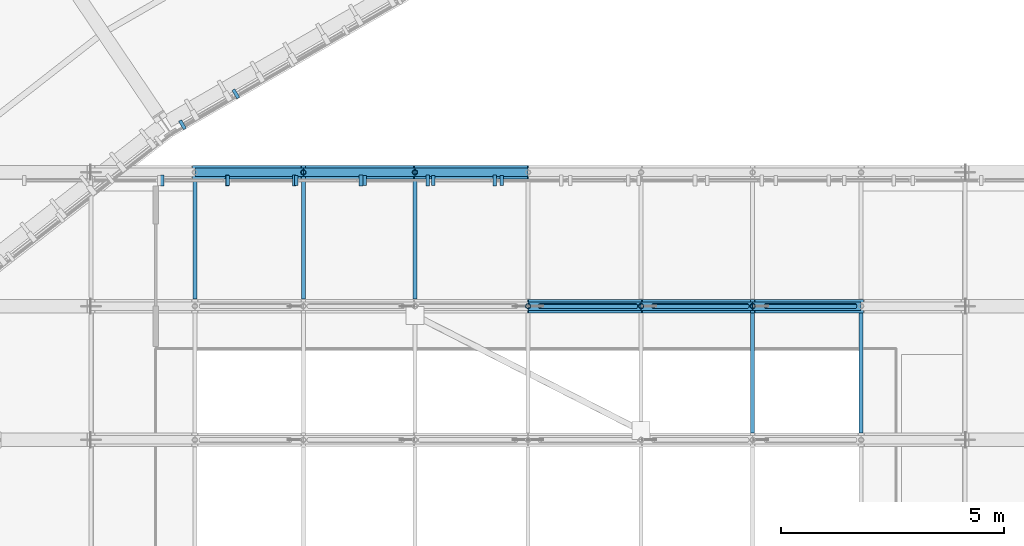
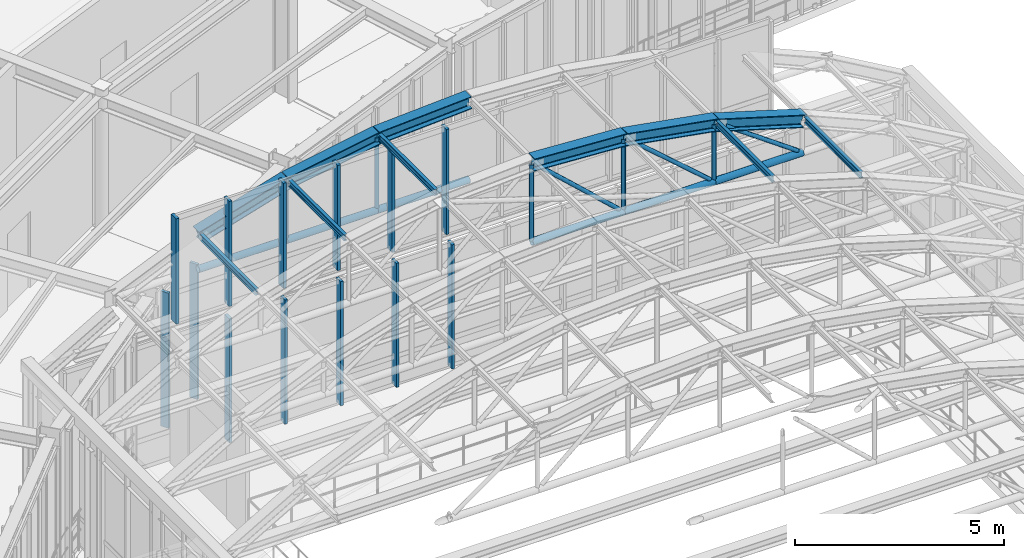
# One storey, part 70 of 148: 27 members, 11 beams, 3 elements without a shape of their own.
"""IFC4 building model written with IfcOpenShell, lengths in metres."""

from ifc_helpers import new_model, si_unit, direction, frame, origin, origin_2d, place, context, subcontext, project, spatial, rectangle, hollow_circle, i_section, extrude, material, layer, layer_set, material_profile, profile_set, type_object, element, aggregate, save


model = new_model("IFC4")

# Units and contexts
model_context = context("Model", 3, precision=1e-05, world=origin(), true_north=direction((0.0, 1.0)))
body_context = subcontext(model_context, "Body", "Model", "MODEL_VIEW")
ifc_project = project(units=[si_unit("LENGTHUNIT", "METRE"), si_unit("AREAUNIT", "SQUARE_METRE"), si_unit("VOLUMEUNIT", "CUBIC_METRE"), si_unit("PLANEANGLEUNIT", "RADIAN"), si_unit("MASSUNIT", "GRAM", prefix="KILO"), si_unit("THERMODYNAMICTEMPERATUREUNIT", "KELVIN"), si_unit("POWERUNIT", "WATT")], contexts=[model_context])

# Site, building, storey
site_placement = place(None, origin())
site = spatial("IfcSite", under=ifc_project, at=site_placement, CompositionType="ELEMENT")
building_placement = place(site_placement, origin())
building = spatial("IfcBuilding", under=site, at=building_placement, Name="Solvatero Civic Police Headquarters", CompositionType="ELEMENT")
storey_placement = place(building_placement, frame((0.0, 0.0, 5.10009765625)))
storey = spatial("IfcBuildingStorey", under=building, at=storey_placement, Name="L01", CompositionType="ELEMENT", Elevation=5.10009765625)

# Beams
ifc_material_1 = material(Name="Steel S355", Category="steel")
ifc_material_profile_1 = material_profile(ifc_material_1, i_section(OverallWidth=0.300048828125, OverallDepth=0.360107421875, WebThickness=0.012451171875, FlangeThickness=0.0224609375, FilletRadius=0.027099609375, at=origin_2d()), Name="HEB 360")
ifc_profile_set_1 = profile_set([ifc_material_profile_1], Name="Steel S355")
beam_type_1 = type_object("IfcBeamType", Name="BM-ST-HEB360", PredefinedType="BEAM", material=ifc_profile_set_1)
beam_1_placement = place(storey_placement, frame((76.800048828125, 59.5, 7.459228515625), z_axis=(0.99830210262, 0.0, -0.058248707316), x_axis=(0.0, 1.0, 0.0)))
element("IfcBeam", 1, at=beam_1_placement, inside=storey, type_object=beam_type_1, Name="VLT2 Tied-Arch Vault Top Chord F7.6", PredefinedType="BEAM", context=body_context, shape_type="SweptSolid", body=[
    extrude(i_section(OverallWidth=0.300048828125, OverallDepth=0.360107421875, WebThickness=0.012451171875, FlangeThickness=0.0224609375, FilletRadius=0.027099609375, at=origin_2d()), origin(), (0.0, 0.0, 1.0), 2.5400390625),
])
beam_2_placement = place(storey_placement, frame((79.335693359375, 59.5, 7.306640625), z_axis=(0.984752581279, 0.0, -0.173960781975), x_axis=(0.0, 1.0, 0.0)))
element("IfcBeam", 2, at=beam_2_placement, inside=storey, type_object=beam_type_1, Name="VLT2 Tied-Arch Vault Top Chord F7.7", PredefinedType="BEAM", context=body_context, shape_type="SweptSolid", body=[
    extrude(i_section(OverallWidth=0.300048828125, OverallDepth=0.360107421875, WebThickness=0.012451171875, FlangeThickness=0.0224609375, FilletRadius=0.027099609375, at=origin_2d()), origin(), (0.0, 0.0, 1.0), 2.540283203125),
])
for number, where, z_axis, x_axis, name in (
    (3, (81.837158203125, 59.5, 6.85498046875), (0.957813056997, 0.0, -0.287391975958), (0.0, 1.0, 0.0), "VLT2 Tied-Arch Vault Top Chord F7.8"),
    (4, (69.330078125, 62.5, 6.14404296875), (0.957813056997, 0.0, 0.287391975958), (0.0, 1.0, 0.0), "VLT2 Tied-Arch Vault Top Chord F8.3"),
    (5, (71.762939453125, 62.5, 6.8740234375), (0.984749672323, 0.0, 0.173977248112), (0.0, 1.0, 0.0), "VLT2 Tied-Arch Vault Top Chord F8.4"),
):
    element("IfcBeam", number, at=place(storey_placement, frame(where, z_axis=z_axis, x_axis=x_axis)), inside=storey, type_object=beam_type_1, Name=name, PredefinedType="BEAM", context=body_context, shape_type="SweptSolid", body=[
        extrude(i_section(OverallWidth=0.300048828125, OverallDepth=0.360107421875, WebThickness=0.012451171875, FlangeThickness=0.0224609375, FilletRadius=0.027099609375, at=origin_2d()), origin(), (0.0, 0.0, 1.0), 2.5400390625),
    ])
beam_3_placement = place(storey_placement, frame((74.26416015625, 62.5, 7.31591796875), z_axis=(0.9983024287, 0.0, 0.058243118494), x_axis=(0.0, 1.0, 0.0)))
element("IfcBeam", 6, at=beam_3_placement, inside=storey, type_object=beam_type_1, Name="VLT2 Tied-Arch Vault Top Chord F8.5", PredefinedType="BEAM", context=body_context, shape_type="SweptSolid", body=[
    extrude(i_section(OverallWidth=0.300048828125, OverallDepth=0.360107421875, WebThickness=0.012451171875, FlangeThickness=0.0224609375, FilletRadius=0.027099609375, at=origin_2d()), origin(), (0.0, 0.0, 1.0), 2.540283203125),
])
ifc_material_profile_2 = material_profile(ifc_material_1, i_section(OverallWidth=0.091064453125, OverallDepth=0.179931640625, WebThickness=0.00537109375, FlangeThickness=0.008056640625, FilletRadius=0.009033203125, at=origin_2d()), Name="IPE 180")
ifc_profile_set_2 = profile_set([ifc_material_profile_2], Name="Steel S355")
beam_type_2 = type_object("IfcBeamType", Name="BM-ST-IPE180", PredefinedType="JOIST", material=ifc_profile_set_2)
for number, where, z_axis, x_axis, name in (
    (7, (81.837158203125, 56.657958984375, 6.927978515625), (0.0, 1.0, 0.0), (-1.0, 0.0, 0.0), "VLT2 Vault Roof Purlin B6.7"),
    (8, (84.27001953125, 56.657958984375, 6.19091796875), (0.0, 1.0, 0.0), (-1.0, 0.0, 0.0), "VLT2 Vault Roof Purlin B6.8"),
    (9, (69.330078125, 59.657958984375, 6.19091796875), (0.0, 1.0, 0.0), (-1.0, 0.0, 0.0), "VLT2 Vault Roof Purlin B7.2"),
    (10, (71.762939453125, 59.657958984375, 6.927978515625), (0.0, 1.0, 0.0), (-1.0, 0.0, 0.0), "VLT2 Vault Roof Purlin B7.3"),
    (11, (74.26416015625, 59.657958984375, 7.37451171875), (0.0, 1.0, 0.0), (-1.0, 0.0, 0.0), "VLT2 Vault Roof Purlin B7.4"),
):
    element("IfcBeam", number, at=place(storey_placement, frame(where, z_axis=z_axis, x_axis=x_axis)), inside=storey, type_object=beam_type_2, Name=name, PredefinedType="JOIST", context=body_context, shape_type="SweptSolid", body=[
        extrude(i_section(OverallWidth=0.091064453125, OverallDepth=0.179931640625, WebThickness=0.00537109375, FlangeThickness=0.008056640625, FilletRadius=0.009033203125, at=origin_2d()), origin(), (0.0, 0.0, 1.0), 2.68408203125),
    ])

# Curtain wall, members
ifc_material_2 = material(Name="Anodized Bronze Aluminium", Category="aluminium")
ifc_layer_1 = layer(ifc_material_2, 0.179931640625)
ifc_layer_set_1 = layer_set([ifc_layer_1], Name="Anodized Bronze Aluminium")
curtain_wall_type_1 = type_object("IfcCurtainWallType", Name="CW-VLT-TYMP", PredefinedType="USERDEFINED", material=ifc_layer_set_1)
curtain_wall_1_placement = place(storey_placement, origin())
curtain_wall_1 = element("IfcCurtainWall", 12, at=curtain_wall_1_placement, inside=storey, type_object=curtain_wall_type_1, Name="Curtain Wall CW-R2-L01-VLT2-N", ObjectType="UNITISED", PredefinedType="USERDEFINED")
ifc_material_profile_3 = material_profile(ifc_material_2, rectangle(XDim=0.080078125, YDim=0.239990234375, at=origin_2d()), Name="ALU MULLION 80x240")
ifc_profile_set_3 = profile_set([ifc_material_profile_3], Name="Anodized Bronze Aluminium")
member_type_1 = type_object("IfcMemberType", Name="CWM-140x60", PredefinedType="MULLION", material=ifc_profile_set_3)
member_1_placement = place(storey_placement, frame((68.60009765625, 62.320068359375, 3.97998046875), z_axis=(0.0, 0.0, 1.0), x_axis=(1.0, 0.0, 0.0)))
member_1 = element("IfcMember", 13, at=member_1_placement, type_object=member_type_1, Name="CW-R2-L01-VLT2-N Mullion 1", PredefinedType="MULLION", context=body_context, shape_type="SweptSolid", body=[
    extrude(rectangle(XDim=0.080078125, YDim=0.239990234375, at=origin_2d()), origin(), (0.0, 0.0, 1.0), 3.06982421875),
])
member_2_placement = place(storey_placement, frame((70.05810546875, 62.320068359375, 3.97998046875), z_axis=(0.0, 0.0, 1.0), x_axis=(1.0, 0.0, 0.0)))
member_2 = element("IfcMember", 14, at=member_2_placement, type_object=member_type_1, Name="CW-R2-L01-VLT2-N Mullion 2", PredefinedType="MULLION", context=body_context, shape_type="SweptSolid", body=[
    extrude(rectangle(XDim=0.080078125, YDim=0.239990234375, at=origin_2d()), origin(), (0.0, 0.0, 1.0), 3.06982421875),
])
member_3_placement = place(storey_placement, frame((71.556396484375, 62.320068359375, 3.97998046875), z_axis=(0.0, 0.0, 1.0), x_axis=(1.0, 0.0, 0.0)))
member_3 = element("IfcMember", 15, at=member_3_placement, type_object=member_type_1, Name="CW-R2-L01-VLT2-N Mullion 3", PredefinedType="MULLION", context=body_context, shape_type="SweptSolid", body=[
    extrude(rectangle(XDim=0.080078125, YDim=0.239990234375, at=origin_2d()), origin(), (0.0, 0.0, 1.0), 3.06982421875),
])
member_4_placement = place(storey_placement, frame((73.054443359375, 62.320068359375, 3.97998046875), z_axis=(0.0, 0.0, 1.0), x_axis=(1.0, 0.0, 0.0)))
member_4 = element("IfcMember", 16, at=member_4_placement, type_object=member_type_1, Name="CW-R2-L01-VLT2-N Mullion 4", PredefinedType="MULLION", context=body_context, shape_type="SweptSolid", body=[
    extrude(rectangle(XDim=0.080078125, YDim=0.239990234375, at=origin_2d()), origin(), (0.0, 0.0, 1.0), 3.06982421875),
])
member_5_placement = place(storey_placement, frame((74.552734375, 62.320068359375, 3.97998046875), z_axis=(0.0, 0.0, 1.0), x_axis=(1.0, 0.0, 0.0)))
member_5 = element("IfcMember", 17, at=member_5_placement, type_object=member_type_1, Name="CW-R2-L01-VLT2-N Mullion 5", PredefinedType="MULLION", context=body_context, shape_type="SweptSolid", body=[
    extrude(rectangle(XDim=0.080078125, YDim=0.239990234375, at=origin_2d()), origin(), (0.0, 0.0, 1.0), 3.06982421875),
])
member_6_placement = place(storey_placement, frame((76.05078125, 62.320068359375, 3.97998046875), z_axis=(0.0, 0.0, 1.0), x_axis=(1.0, 0.0, 0.0)))
member_6 = element("IfcMember", 18, at=member_6_placement, type_object=member_type_1, Name="CW-R2-L01-VLT2-N Mullion 6", PredefinedType="MULLION", context=body_context, shape_type="SweptSolid", body=[
    extrude(rectangle(XDim=0.080078125, YDim=0.239990234375, at=origin_2d()), origin(), (0.0, 0.0, 1.0), 3.06982421875),
])
aggregate(curtain_wall_1, [member_1, member_2, member_3, member_4, member_5, member_6])

ifc_layer_2 = layer(ifc_material_2, 0.179931640625)
ifc_layer_set_2 = layer_set([ifc_layer_2], Name="Anodized Bronze Aluminium")
curtain_wall_type_2 = type_object("IfcCurtainWallType", Name="CW-ARC-IN", PredefinedType="USERDEFINED", material=ifc_layer_set_2)
curtain_wall_2_placement = place(storey_placement, origin())
curtain_wall_2 = element("IfcCurtainWall", 19, at=curtain_wall_2_placement, inside=storey, type_object=curtain_wall_type_2, Name="Curtain Wall CW-R2-L01-ARC-IN-B05", ObjectType="UNITISED", PredefinedType="USERDEFINED")
ifc_material_profile_4 = material_profile(ifc_material_2, rectangle(XDim=0.074951171875, YDim=0.219970703125, at=origin_2d()), Name="ALU MULLION 75x220")
ifc_profile_set_4 = profile_set([ifc_material_profile_4], Name="Anodized Bronze Aluminium")
member_type_2 = type_object("IfcMemberType", Name="CWM-250x85", PredefinedType="MULLION", material=ifc_profile_set_4)
member_7_placement = place(storey_placement, frame((70.247802734375, 64.260009765625, 0.0), z_axis=(0.0, 0.0, 1.0), x_axis=(-0.866025403784, -0.5, 0.0)))
member_7 = element("IfcMember", 20, at=member_7_placement, type_object=member_type_2, Name="CW-R2-L01-ARC-IN-B05 Mullion 4", PredefinedType="MULLION", context=body_context, shape_type="SweptSolid", body=[
    extrude(rectangle(XDim=0.074951171875, YDim=0.219970703125, at=origin_2d()), origin(), (0.0, 0.0, 1.0), 3.93994140625),
])
member_8_placement = place(storey_placement, frame((69.051513671875, 63.569091796875, 0.0), z_axis=(0.0, 0.0, 1.0), x_axis=(-0.866025403784, -0.5, 0.0)))
member_8 = element("IfcMember", 21, at=member_8_placement, type_object=member_type_2, Name="CW-R2-L01-ARC-IN-B05 Mullion 5", PredefinedType="MULLION", context=body_context, shape_type="SweptSolid", body=[
    extrude(rectangle(XDim=0.074951171875, YDim=0.219970703125, at=origin_2d()), origin(), (0.0, 0.0, 1.0), 3.93994140625),
])
aggregate(curtain_wall_2, [member_7, member_8])

ifc_layer_3 = layer(ifc_material_2, 0.179931640625)
ifc_layer_set_3 = layer_set([ifc_layer_3], Name="Anodized Bronze Aluminium")
curtain_wall_type_3 = type_object("IfcCurtainWallType", Name="CW-HAL-GLZ", PredefinedType="USERDEFINED", material=ifc_layer_set_3)
curtain_wall_3_placement = place(storey_placement, origin())
curtain_wall_3 = element("IfcCurtainWall", 22, at=curtain_wall_3_placement, inside=storey, type_object=curtain_wall_type_3, Name="Curtain Wall CW-R2-L01-V2-N", ObjectType="UNITISED", PredefinedType="USERDEFINED")
member_9_placement = place(storey_placement, frame((70.067626953125, 62.320068359375, 0.0), z_axis=(0.0, 0.0, 1.0), x_axis=(1.0, 0.0, 0.0)))
member_9 = element("IfcMember", 23, at=member_9_placement, type_object=member_type_2, Name="CW-R2-L01-V2-N Mullion 4", PredefinedType="MULLION", context=body_context, shape_type="SweptSolid", body=[
    extrude(rectangle(XDim=0.074951171875, YDim=0.219970703125, at=origin_2d()), origin(), (0.0, 0.0, 1.0), 3.619873046875),
])
member_10_placement = place(storey_placement, frame((71.603515625, 62.320068359375, 0.0), z_axis=(0.0, 0.0, 1.0), x_axis=(1.0, 0.0, 0.0)))
member_10 = element("IfcMember", 24, at=member_10_placement, type_object=member_type_2, Name="CW-R2-L01-V2-N Mullion 5", PredefinedType="MULLION", context=body_context, shape_type="SweptSolid", body=[
    extrude(rectangle(XDim=0.074951171875, YDim=0.219970703125, at=origin_2d()), origin(), (0.0, 0.0, 1.0), 3.619873046875),
])
member_11_placement = place(storey_placement, frame((73.139404296875, 62.320068359375, 0.0), z_axis=(0.0, 0.0, 1.0), x_axis=(1.0, 0.0, 0.0)))
member_11 = element("IfcMember", 25, at=member_11_placement, type_object=member_type_2, Name="CW-R2-L01-V2-N Mullion 6", PredefinedType="MULLION", context=body_context, shape_type="SweptSolid", body=[
    extrude(rectangle(XDim=0.074951171875, YDim=0.219970703125, at=origin_2d()), origin(), (0.0, 0.0, 1.0), 3.619873046875),
])
member_12_placement = place(storey_placement, frame((74.67529296875, 62.320068359375, 0.0), z_axis=(0.0, 0.0, 1.0), x_axis=(1.0, 0.0, 0.0)))
member_12 = element("IfcMember", 26, at=member_12_placement, type_object=member_type_2, Name="CW-R2-L01-V2-N Mullion 7", PredefinedType="MULLION", context=body_context, shape_type="SweptSolid", body=[
    extrude(rectangle(XDim=0.074951171875, YDim=0.219970703125, at=origin_2d()), origin(), (0.0, 0.0, 1.0), 3.619873046875),
])
member_13_placement = place(storey_placement, frame((76.211181640625, 62.320068359375, 0.0), z_axis=(0.0, 0.0, 1.0), x_axis=(1.0, 0.0, 0.0)))
member_13 = element("IfcMember", 27, at=member_13_placement, type_object=member_type_2, Name="CW-R2-L01-V2-N Mullion 8", PredefinedType="MULLION", context=body_context, shape_type="SweptSolid", body=[
    extrude(rectangle(XDim=0.074951171875, YDim=0.219970703125, at=origin_2d()), origin(), (0.0, 0.0, 1.0), 3.619873046875),
])
aggregate(curtain_wall_3, [member_9, member_10, member_11, member_12, member_13])

# Members
ifc_material_profile_5 = material_profile(ifc_material_1, hollow_circle(Radius=0.05712890625, WallThickness=0.008056640625, at=origin_2d()), Name="CHS 114.3x8.0")
ifc_profile_set_5 = profile_set([ifc_material_profile_5], Name="Steel S355")
member_type_3 = type_object("IfcMemberType", Name="MB-HNG-CHS114", PredefinedType="STRUT", material=ifc_profile_set_5)
member_14_placement = place(storey_placement, frame((79.218017578125, 59.5, 5.244384765625), z_axis=(-0.736703146359, 0.0, 0.676216292428), x_axis=(0.0, -1.0, 0.0)))
element("IfcMember", 28, at=member_14_placement, inside=storey, type_object=member_type_3, Name="VLT2 Vault Truss Diagonal Web F7.5", PredefinedType="STRUT", context=body_context, shape_type="SweptSolid", body=[
    extrude(hollow_circle(Radius=0.05712890625, WallThickness=0.008056640625, at=origin_2d()), origin(), (0.0, 0.0, 1.0), 2.92236328125),
])
member_15_placement = place(storey_placement, frame((81.716552734375, 59.5, 5.2412109375), z_axis=(-0.753915676924, 0.0, 0.656971195783), x_axis=(0.0, -1.0, 0.0)))
element("IfcMember", 29, at=member_15_placement, inside=storey, type_object=member_type_3, Name="VLT2 Vault Truss Diagonal Web F7.6", PredefinedType="STRUT", context=body_context, shape_type="SweptSolid", body=[
    extrude(hollow_circle(Radius=0.05712890625, WallThickness=0.008056640625, at=origin_2d()), origin(), (0.0, 0.0, 1.0), 2.7978515625),
])
member_16_placement = place(storey_placement, frame((84.139892578125, 59.5, 5.229248046875), z_axis=(-0.813766862459, 0.0, 0.581191443126), x_axis=(0.0, -1.0, 0.0)))
element("IfcMember", 30, at=member_16_placement, inside=storey, type_object=member_type_3, Name="VLT2 Vault Truss Diagonal Web F7.7", PredefinedType="STRUT", context=body_context, shape_type="SweptSolid", body=[
    extrude(hollow_circle(Radius=0.05712890625, WallThickness=0.008056640625, at=origin_2d()), origin(), (0.0, 0.0, 1.0), 2.469970703125),
])
member_17_placement = place(storey_placement, frame((76.800048828125, 59.5, 5.17626953125), z_axis=(0.0, 0.0, 1.0), x_axis=(1.0, 0.0, 0.0)))
element("IfcMember", 31, at=member_17_placement, inside=storey, type_object=member_type_3, Name="VLT2 Vault Vertical Hanger F7.5", PredefinedType="STRUT", context=body_context, shape_type="SweptSolid", body=[
    extrude(hollow_circle(Radius=0.05712890625, WallThickness=0.008056640625, at=origin_2d()), origin(), (0.0, 0.0, 1.0), 2.237548828125),
])
member_18_placement = place(storey_placement, frame((79.335693359375, 59.5, 5.17626953125), z_axis=(0.0, 0.0, 1.0), x_axis=(1.0, 0.0, 0.0)))
element("IfcMember", 32, at=member_18_placement, inside=storey, type_object=member_type_3, Name="VLT2 Vault Vertical Hanger F7.6", PredefinedType="STRUT", context=body_context, shape_type="SweptSolid", body=[
    extrude(hollow_circle(Radius=0.05712890625, WallThickness=0.008056640625, at=origin_2d()), origin(), (0.0, 0.0, 1.0), 2.089599609375),
])
for number, where, z_axis, x_axis, name in (
    (33, (81.837158203125, 59.5, 5.17626953125), (0.0, 0.0, 1.0), (1.0, 0.0, 0.0), "VLT2 Vault Vertical Hanger F7.7"),
    (34, (71.762939453125, 62.5, 5.17626953125), (0.0, 0.0, 1.0), (1.0, 0.0, 0.0), "VLT2 Vault Vertical Hanger F8.3"),
):
    element("IfcMember", number, at=place(storey_placement, frame(where, z_axis=z_axis, x_axis=x_axis)), inside=storey, type_object=member_type_3, Name=name, PredefinedType="STRUT", context=body_context, shape_type="SweptSolid", body=[
        extrude(hollow_circle(Radius=0.05712890625, WallThickness=0.008056640625, at=origin_2d()), origin(), (0.0, 0.0, 1.0), 1.647705078125),
    ])
member_19_placement = place(storey_placement, frame((74.26416015625, 62.5, 5.17626953125), z_axis=(0.0, 0.0, 1.0), x_axis=(1.0, 0.0, 0.0)))
element("IfcMember", 35, at=member_19_placement, inside=storey, type_object=member_type_3, Name="VLT2 Vault Vertical Hanger F8.4", PredefinedType="STRUT", context=body_context, shape_type="SweptSolid", body=[
    extrude(hollow_circle(Radius=0.05712890625, WallThickness=0.008056640625, at=origin_2d()), origin(), (0.0, 0.0, 1.0), 2.089599609375),
])
ifc_material_profile_6 = material_profile(ifc_material_1, hollow_circle(Radius=0.096923828125, WallThickness=0.010009765625, at=origin_2d()), Name="CHS 193.7x10.0")
ifc_profile_set_6 = profile_set([ifc_material_profile_6], Name="Steel S355")
member_type_4 = type_object("IfcMemberType", Name="MB-TIE-CHS194", PredefinedType="CHORD", material=ifc_profile_set_6)
member_20_placement = place(storey_placement, frame((76.800048828125, 59.5, 5.13623046875), z_axis=(1.0, 0.0, 0.0), x_axis=(0.0, 1.0, 0.0)))
element("IfcMember", 36, at=member_20_placement, inside=storey, type_object=member_type_4, Name="VLT2 Vault Horizontal Tie Chord F7.5", PredefinedType="CHORD", context=body_context, shape_type="SweptSolid", body=[
    extrude(hollow_circle(Radius=0.096923828125, WallThickness=0.010009765625, at=origin_2d()), origin(), (0.0, 0.0, 1.0), 2.53564453125),
])
member_21_placement = place(storey_placement, frame((79.335693359375, 59.5, 5.13623046875), z_axis=(1.0, 0.0, 0.0), x_axis=(0.0, 1.0, 0.0)))
element("IfcMember", 37, at=member_21_placement, inside=storey, type_object=member_type_4, Name="VLT2 Vault Horizontal Tie Chord F7.6", PredefinedType="CHORD", context=body_context, shape_type="SweptSolid", body=[
    extrude(hollow_circle(Radius=0.096923828125, WallThickness=0.010009765625, at=origin_2d()), origin(), (0.0, 0.0, 1.0), 2.50146484375),
])
for number, where, z_axis, x_axis, name in (
    (38, (81.837158203125, 59.5, 5.13623046875), (1.0, 0.0, 0.0), (0.0, 1.0, 0.0), "VLT2 Vault Horizontal Tie Chord F7.7"),
    (39, (69.330078125, 62.5, 5.13623046875), (1.0, 0.0, 0.0), (0.0, 1.0, 0.0), "VLT2 Vault Horizontal Tie Chord F8.2"),
):
    element("IfcMember", number, at=place(storey_placement, frame(where, z_axis=z_axis, x_axis=x_axis)), inside=storey, type_object=member_type_4, Name=name, PredefinedType="CHORD", context=body_context, shape_type="SweptSolid", body=[
        extrude(hollow_circle(Radius=0.096923828125, WallThickness=0.010009765625, at=origin_2d()), origin(), (0.0, 0.0, 1.0), 2.432861328125),
    ])
member_22_placement = place(storey_placement, frame((71.762939453125, 62.5, 5.13623046875), z_axis=(1.0, 0.0, 0.0), x_axis=(0.0, 1.0, 0.0)))
element("IfcMember", 40, at=member_22_placement, inside=storey, type_object=member_type_4, Name="VLT2 Vault Horizontal Tie Chord F8.3", PredefinedType="CHORD", context=body_context, shape_type="SweptSolid", body=[
    extrude(hollow_circle(Radius=0.096923828125, WallThickness=0.010009765625, at=origin_2d()), origin(), (0.0, 0.0, 1.0), 2.501220703125),
])
member_23_placement = place(storey_placement, frame((74.26416015625, 62.5, 5.13623046875), z_axis=(1.0, 0.0, 0.0), x_axis=(0.0, 1.0, 0.0)))
element("IfcMember", 41, at=member_23_placement, inside=storey, type_object=member_type_4, Name="VLT2 Vault Horizontal Tie Chord F8.4", PredefinedType="CHORD", context=body_context, shape_type="SweptSolid", body=[
    extrude(hollow_circle(Radius=0.096923828125, WallThickness=0.010009765625, at=origin_2d()), origin(), (0.0, 0.0, 1.0), 2.535888671875),
])

save(model, "model.ifc")
